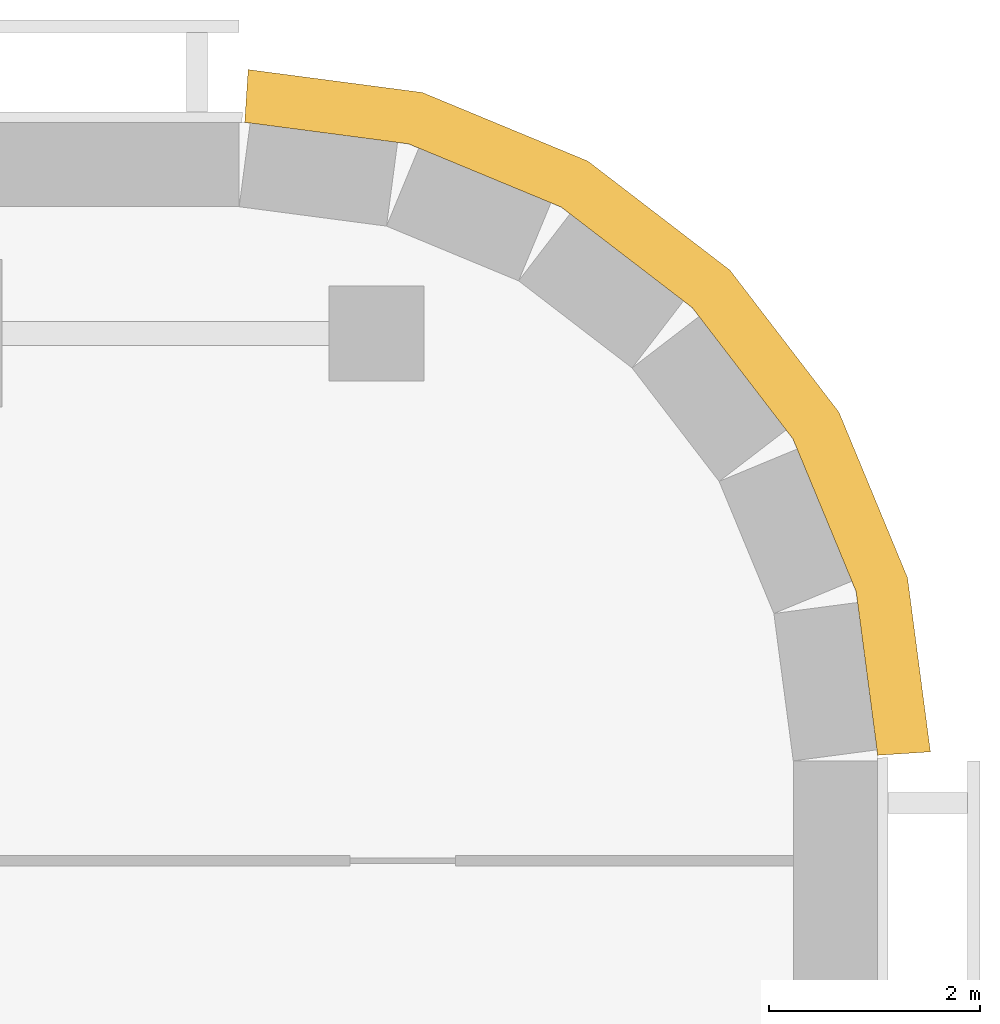
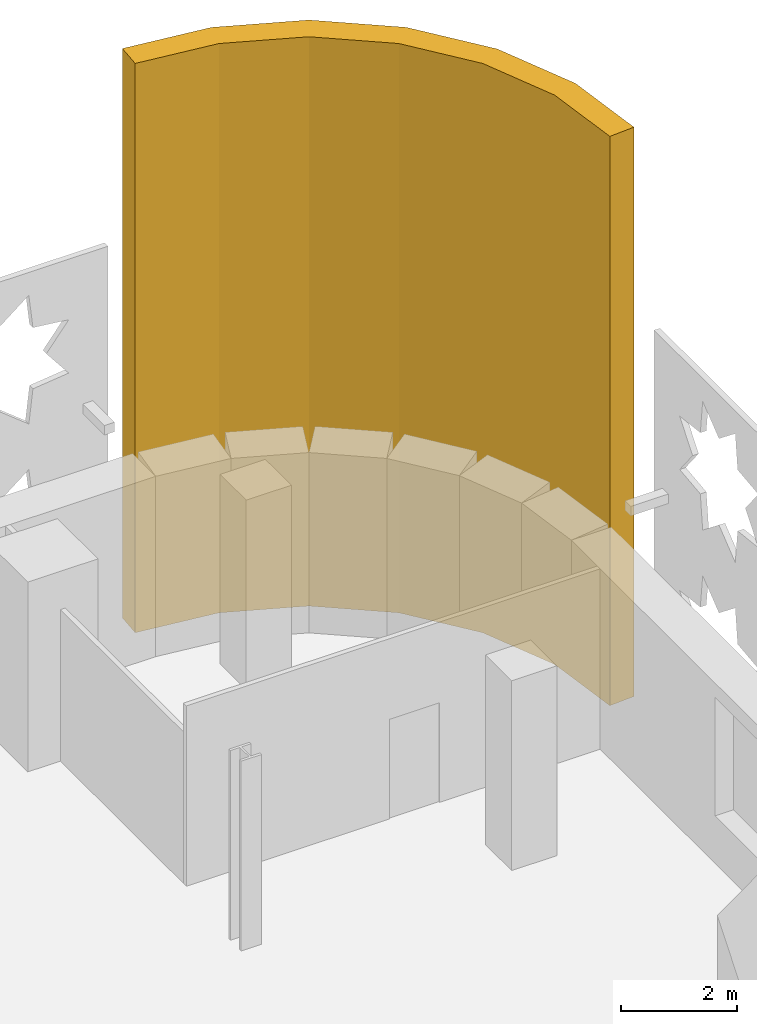
# One storey, part 14 of 14: 1 covering.
"""IFC4 building model written with IfcOpenShell, lengths in metres."""

from ifc_helpers import new_model, si_unit, direction, frame, origin, place, context, subcontext, project, spatial, polyline, outline, extrude, material, layer, layer_set, type_object, element, save


model = new_model("IFC4")

# Units and contexts
model_context = context("Model", 3, precision=1e-05, world=origin(), true_north=direction((0.0, 1.0)))
body_context = subcontext(model_context, "Body", "Model", "MODEL_VIEW")
ifc_project = project(units=[si_unit("LENGTHUNIT", "METRE"), si_unit("AREAUNIT", "SQUARE_METRE"), si_unit("VOLUMEUNIT", "CUBIC_METRE"), si_unit("PLANEANGLEUNIT", "RADIAN"), si_unit("MASSUNIT", "GRAM", prefix="KILO")], contexts=[model_context])

# Site, building, storey
site_placement = place(None, origin())
site = spatial("IfcSite", under=ifc_project, at=site_placement, CompositionType="ELEMENT")
building_placement = place(site_placement, origin())
building = spatial("IfcBuilding", under=site, at=building_placement, Name="Zellij Exchange Tower", CompositionType="ELEMENT")
storey_placement = place(building_placement, frame((0.0, 0.0, 188.5)))
storey = spatial("IfcBuildingStorey", under=building, at=storey_placement, Name="L43", CompositionType="ELEMENT", Elevation=188.5)

# Covering
ifc_material = material(Name="Limestone cladding", Category="masonry")
ifc_layer = layer(ifc_material, 0.5)
ifc_layer_set = layer_set([ifc_layer], Name="Limestone cladding")
covering_type = type_object("IfcCoveringType", Name="ENV-CV12 Stone corner pier 500", PredefinedType="CLADDING", material=ifc_layer_set)
covering_placement = place(storey_placement, origin())
element("IfcCovering", 1, at=covering_placement, inside=storey, type_object=covering_type, Name="Stone corner pier", PredefinedType="CLADDING", context=body_context, shape_type="SweptSolid", body=[
    extrude(outline(polyline([(36.0, 25.0), (35.795654296875, 26.552978515625), (35.1962890625, 28.0), (34.24267578125, 29.24267578125), (33.0, 30.1962890625), (31.552978515625, 30.795654296875), (30.0, 31.0), (30.03271484375, 31.5), (31.683349609375, 31.28271484375), (33.252197265625, 30.6328125), (34.59912109375, 29.59912109375), (35.6328125, 28.252197265625), (36.28271484375, 26.683349609375), (36.5, 25.03271484375), (36.0, 25.0)])), origin(), (0.0, 0.0, 1.0), 12.0),
])

save(model, "model.ifc")
